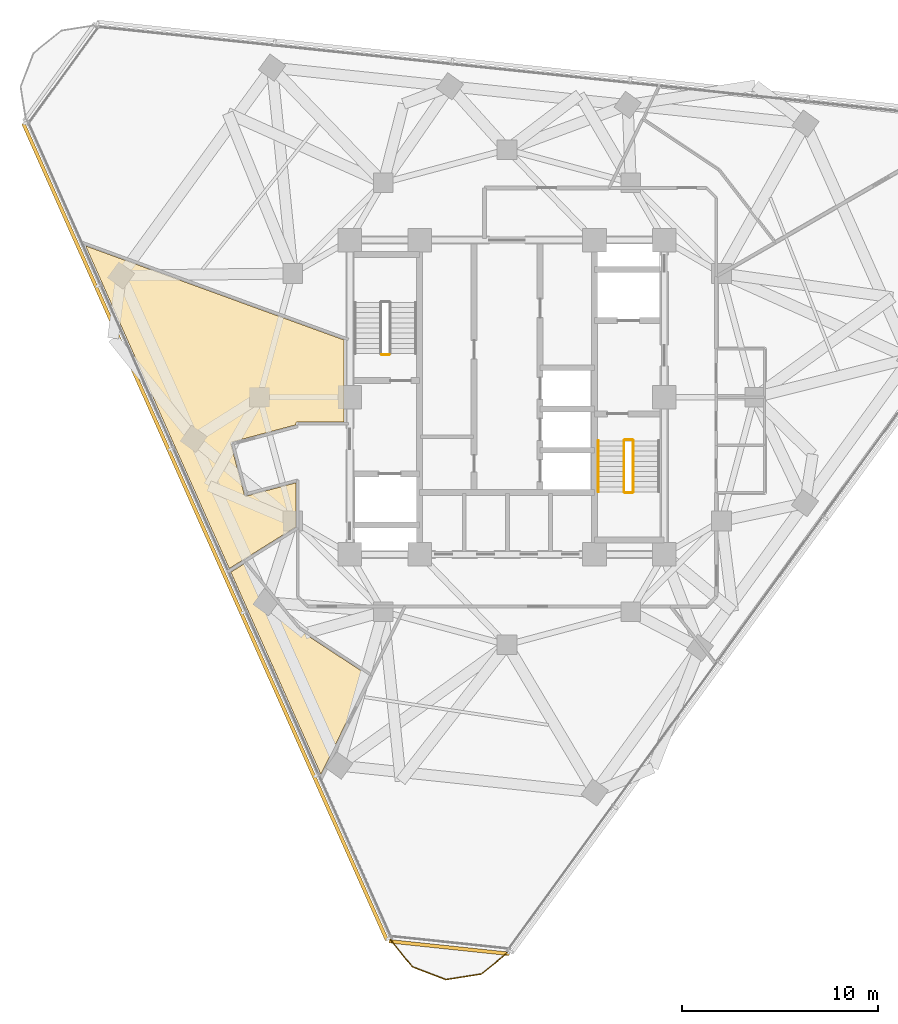
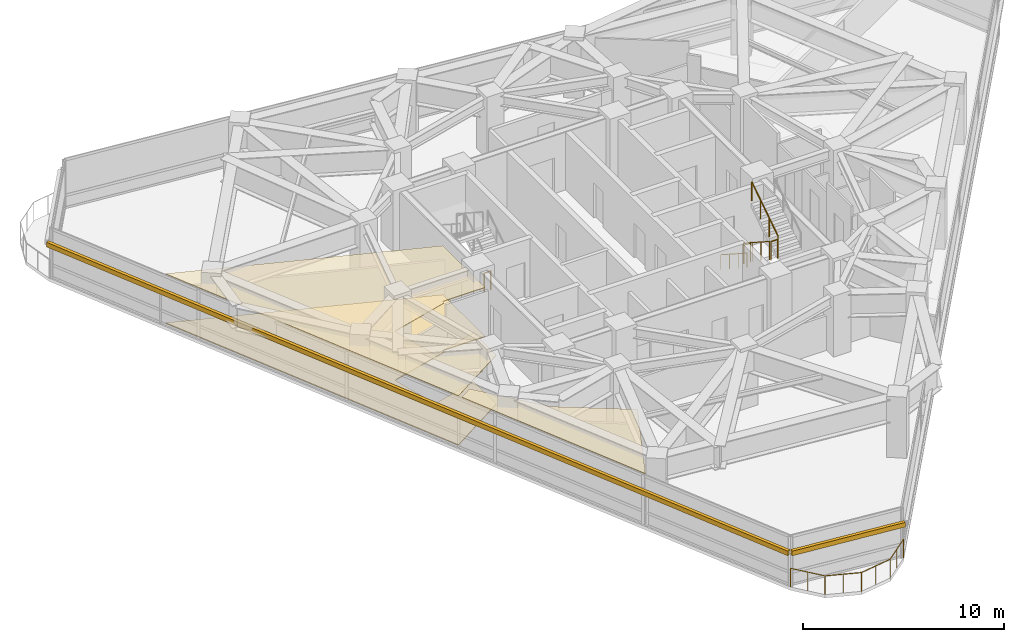
# One storey, part 12 of 14: 7 railings, 3 coverings, 2 shading devices.
"""IFC4 building model written with IfcOpenShell, lengths in metres."""

from ifc_helpers import new_model, si_unit, direction, frame, origin, origin_2d, place, context, subcontext, project, spatial, polyline, rectangle, circle, outline, extrude, material, layer, layer_set, type_object, element, save


model = new_model("IFC4")

# Units and contexts
model_context = context("Model", 3, precision=1e-05, world=origin(), true_north=direction((0.0, 1.0)))
body_context = subcontext(model_context, "Body", "Model", "MODEL_VIEW")
ifc_project = project(units=[si_unit("LENGTHUNIT", "METRE"), si_unit("AREAUNIT", "SQUARE_METRE"), si_unit("VOLUMEUNIT", "CUBIC_METRE"), si_unit("PLANEANGLEUNIT", "RADIAN"), si_unit("MASSUNIT", "GRAM", prefix="KILO")], contexts=[model_context])

# Site, building, storey
site_placement = place(None, origin())
site = spatial("IfcSite", under=ifc_project, at=site_placement, CompositionType="ELEMENT")
building_placement = place(site_placement, origin())
building = spatial("IfcBuilding", under=site, at=building_placement, Name="Terralouvre Media Tower", CompositionType="ELEMENT")
storey_placement = place(building_placement, frame((0.0, 0.0, 244.800048828125)))
storey = spatial("IfcBuildingStorey", under=building, at=storey_placement, Name="L63", CompositionType="ELEMENT", Elevation=244.800048828125)

# Coverings
ifc_material_1 = material(Name="Resilient elastomer acoustic broadcast studio flooring")
ifc_layer_1 = layer(ifc_material_1, 0.050048828125, Name="Broadcast Studio Acoustic Floating Floor FL-AC1")
ifc_layer_set_1 = layer_set([ifc_layer_1], Name="Resilient elastomer acoustic broadcast studio flooring")
covering_type_1 = type_object("IfcCoveringType", Name="Broadcast Studio Acoustic Floating Floor FL-AC1", PredefinedType="FLOORING", material=ifc_layer_set_1)
covering_1_placement = place(storey_placement, frame((0.0, 0.0, 0.0), z_axis=(0.0, 0.0, 1.0), x_axis=(0.587785252292, 0.809016994375, 0.0)))
element("IfcCovering", 1, at=covering_1_placement, inside=storey, type_object=covering_type_1, Name="L63 OB Coordination Crew Room 1 Acoustic Floating Floor", PredefinedType="FLOORING", context=body_context, shape_type="SweptSolid", body=[
    extrude(outline(polyline([(-11.657958984375, 4.81787109375), (-9.84228515625, 6.136962890625), (-11.8544921875, 7.766357421875), (-11.862060546875, 7.77294921875), (-11.86865234375, 7.7802734375), (-11.87451171875, 7.7880859375), (-11.879638671875, 7.79638671875), (-11.8837890625, 7.80517578125), (-11.88720703125, 7.814453125), (-11.8896484375, 7.823974609375), (-11.89111328125, 7.833740234375), (-11.8916015625, 7.843505859375), (-11.891357421875, 7.853271484375), (-11.889892578125, 7.863037109375), (-11.8876953125, 7.87255859375), (-11.88427734375, 7.8818359375), (-11.880126953125, 7.890625), (-11.875244140625, 7.899169921875), (-11.869384765625, 7.9072265625), (-10.200927734375, 9.966064453125), (-10.1943359375, 9.973388671875), (-10.187255859375, 9.97998046875), (-10.17919921875, 9.98583984375), (-10.1708984375, 9.990966796875), (-10.162109375, 9.9951171875), (-10.15283203125, 9.99853515625), (-10.143310546875, 10.0009765625), (-10.1337890625, 10.00244140625), (-10.123779296875, 10.003173828125), (-10.114013671875, 10.002685546875), (-10.104248046875, 10.001220703125), (-10.094970703125, 9.9990234375), (-10.08544921875, 9.99560546875), (-10.07666015625, 9.991455078125), (-10.068115234375, 9.986572265625), (-10.060302734375, 9.980712890625), (-7.45556640625, 7.870849609375), (-7.410888671875, 7.9033203125), (-7.402587890625, 7.90869140625), (-7.39404296875, 7.913330078125), (-7.384765625, 7.9169921875), (-7.37548828125, 7.919677734375), (-7.36572265625, 7.921630859375), (-7.35595703125, 7.92236328125), (-7.34619140625, 7.92236328125), (-7.33642578125, 7.92138671875), (-7.326904296875, 7.919189453125), (-7.317626953125, 7.916259765625), (-7.308349609375, 7.912353515625), (-7.2998046875, 7.90771484375), (-7.291748046875, 7.90234375), (-7.2841796875, 7.89599609375), (-7.27734375, 7.888916015625), (-7.271240234375, 7.88134765625), (-5.895751953125, 5.98828125), (-2.523681640625, 8.43798828125), (-6.37841796875, 21.881591796875), (-15.365478515625, 6.316162109375), (-14.558349609375, 5.98974609375), (-11.657958984375, 4.81787109375)])), origin(), (0.0, 0.0, 1.0), 0.050048828125),
])
ifc_material_2 = material(Name="Perforated aluminium acoustic ceiling baffle", Category="aluminium")
ifc_layer_2 = layer(ifc_material_2, 0.0400390625, Name="Perforated Acoustic Metal Tile Ceiling CL-AC1")
ifc_layer_set_2 = layer_set([ifc_layer_2], Name="Perforated aluminium acoustic ceiling baffle")
covering_type_2 = type_object("IfcCoveringType", Name="Perforated Acoustic Metal Tile Ceiling CL-AC1", PredefinedType="CEILING", material=ifc_layer_set_2)
covering_2_placement = place(storey_placement, frame((0.0, 0.0, 2.97998046875), z_axis=(0.0, 0.0, 1.0), x_axis=(0.587785252292, 0.809016994375, 0.0)))
element("IfcCovering", 2, at=covering_2_placement, inside=storey, type_object=covering_type_2, Name="L63 OB Coordination Crew Room 1 Acoustic Ceiling", PredefinedType="CEILING", context=body_context, shape_type="SweptSolid", body=[
    extrude(outline(polyline([(-11.657958984375, 4.81787109375), (-9.84228515625, 6.136962890625), (-11.8544921875, 7.766357421875), (-11.862060546875, 7.77294921875), (-11.86865234375, 7.7802734375), (-11.87451171875, 7.7880859375), (-11.879638671875, 7.79638671875), (-11.8837890625, 7.80517578125), (-11.88720703125, 7.814453125), (-11.8896484375, 7.823974609375), (-11.89111328125, 7.833740234375), (-11.8916015625, 7.843505859375), (-11.891357421875, 7.853271484375), (-11.889892578125, 7.863037109375), (-11.8876953125, 7.87255859375), (-11.88427734375, 7.8818359375), (-11.880126953125, 7.890625), (-11.875244140625, 7.899169921875), (-11.869384765625, 7.9072265625), (-10.200927734375, 9.966064453125), (-10.1943359375, 9.973388671875), (-10.187255859375, 9.97998046875), (-10.17919921875, 9.98583984375), (-10.1708984375, 9.990966796875), (-10.162109375, 9.9951171875), (-10.15283203125, 9.99853515625), (-10.143310546875, 10.0009765625), (-10.1337890625, 10.00244140625), (-10.123779296875, 10.003173828125), (-10.114013671875, 10.002685546875), (-10.104248046875, 10.001220703125), (-10.094970703125, 9.9990234375), (-10.08544921875, 9.99560546875), (-10.07666015625, 9.991455078125), (-10.068115234375, 9.986572265625), (-10.060302734375, 9.980712890625), (-7.45556640625, 7.870849609375), (-7.410888671875, 7.9033203125), (-7.402587890625, 7.90869140625), (-7.39404296875, 7.913330078125), (-7.384765625, 7.9169921875), (-7.37548828125, 7.919677734375), (-7.36572265625, 7.921630859375), (-7.35595703125, 7.92236328125), (-7.34619140625, 7.92236328125), (-7.33642578125, 7.92138671875), (-7.326904296875, 7.919189453125), (-7.317626953125, 7.916259765625), (-7.308349609375, 7.912353515625), (-7.2998046875, 7.90771484375), (-7.291748046875, 7.90234375), (-7.2841796875, 7.89599609375), (-7.27734375, 7.888916015625), (-7.271240234375, 7.88134765625), (-5.895751953125, 5.98828125), (-2.523681640625, 8.43798828125), (-6.37841796875, 21.881591796875), (-15.365478515625, 6.316162109375), (-14.558349609375, 5.98974609375), (-11.657958984375, 4.81787109375)])), origin(), (0.0, 0.0, 1.0), 0.0400390625),
])
covering_3_placement = place(storey_placement, frame((0.0, 0.0, 2.97998046875), z_axis=(0.0, 0.0, 1.0), x_axis=(0.587785252292, 0.809016994375, 0.0)))
element("IfcCovering", 3, at=covering_3_placement, inside=storey, type_object=covering_type_2, Name="L63 Sports Commentary Control Room 3 Acoustic Ceiling", PredefinedType="CEILING", context=body_context, shape_type="SweptSolid", body=[
    extrude(outline(polyline([(-15.8134765625, 1.646240234375), (-15.813232421875, 1.656494140625), (-15.812255859375, 1.666748046875), (-15.810302734375, 1.676513671875), (-14.71484375, 5.83740234375), (-15.46630859375, 6.141357421875), (-21.10107421875, -3.619140625), (-15.607177734375, -2.650390625), (-15.8134765625, 1.646240234375)])), origin(), (0.0, 0.0, 1.0), 0.0400390625),
])

# Railings
ifc_material_3 = material(Name="Stainless steel 316 handrail and balustrade", Category="steel")
ifc_layer_3 = layer(ifc_material_3, 0.06005859375, Name="Roof Edge Safety Guardrail GR-ROOF1")
ifc_layer_set_3 = layer_set([ifc_layer_3], Name="Stainless steel 316 handrail and balustrade")
railing_type_1 = type_object("IfcRailingType", Name="Roof Edge Safety Guardrail GR-ROOF1", PredefinedType="GUARDRAIL", material=ifc_layer_set_3)
railing_1_placement = place(storey_placement, frame((-5.98583984375, -27.5546875, 0.0)))
element("IfcRailing", 4, at=railing_1_placement, inside=storey, type_object=railing_type_1, Name="L63 Wind-Corner Perimeter Safety Guardrail C0", PredefinedType="GUARDRAIL", context=body_context, shape_type="SweptSolid", body=[
    extrude(circle(Radius=0.02099609375, at=origin_2d()), frame((0.0, 0.0, 1.12890625), z_axis=(0.629125588714, -0.777303668861, 0.0), x_axis=(0.777303668861, 0.629125588714, 0.0)), (0.0, 0.0, 1.0), 1.837158203125),
    extrude(circle(Radius=0.02099609375, at=origin_2d()), frame((1.15576171875, -1.427978515625, 1.12890625), z_axis=(0.933530480619, -0.358498035915, 0.0), x_axis=(0.358498035915, 0.933530480619, 0.0)), (0.0, 0.0, 1.0), 1.836669921875),
    extrude(circle(Radius=0.02099609375, at=origin_2d()), frame((2.870361328125, -2.08642578125, 1.12890625), z_axis=(0.987666866591, 0.156569986387, 0.0), x_axis=(-0.156569986387, 0.987666866591, 0.0)), (0.0, 0.0, 1.0), 1.8369140625),
    extrude(circle(Radius=0.02099609375, at=origin_2d()), frame((4.6845703125, -1.798828125, 1.12890625), z_axis=(0.777015769995, 0.629481130122, 0.0), x_axis=(-0.629481130122, 0.777015769995, 0.0)), (0.0, 0.0, 1.0), 1.8369140625),
    extrude(circle(Radius=0.01904296875, at=origin_2d()), origin(), (0.0, 0.0, 1.0), 1.10791015625),
    extrude(circle(Radius=0.01904296875, at=origin_2d()), frame((0.577880859375, -0.7138671875, 0.0)), (0.0, 0.0, 1.0), 1.10791015625),
    extrude(circle(Radius=0.01904296875, at=origin_2d()), frame((1.15576171875, -1.427978515625, 0.0)), (0.0, 0.0, 1.0), 1.10791015625),
    extrude(circle(Radius=0.01904296875, at=origin_2d()), frame((2.01318359375, -1.75732421875, 0.0)), (0.0, 0.0, 1.0), 1.10791015625),
    extrude(circle(Radius=0.01904296875, at=origin_2d()), frame((2.870361328125, -2.08642578125, 0.0)), (0.0, 0.0, 1.0), 1.10791015625),
    extrude(circle(Radius=0.01904296875, at=origin_2d()), frame((3.77734375, -1.942626953125, 0.0)), (0.0, 0.0, 1.0), 1.10791015625),
    extrude(circle(Radius=0.01904296875, at=origin_2d()), frame((4.6845703125, -1.798828125, 0.0)), (0.0, 0.0, 1.0), 1.10791015625),
    extrude(circle(Radius=0.01904296875, at=origin_2d()), frame((5.398193359375, -1.220703125, 0.0)), (0.0, 0.0, 1.0), 1.10791015625),
    extrude(circle(Radius=0.01904296875, at=origin_2d()), frame((6.11181640625, -0.642578125, 0.0)), (0.0, 0.0, 1.0), 1.10791015625),
])
ifc_material_4 = material(Name="Stainless steel 316 handrail and balustrade", Category="steel")
ifc_layer_4 = layer(ifc_material_4, 0.050048828125, Name="Stair Flight Wall Handrail HR-INT1")
ifc_layer_set_4 = layer_set([ifc_layer_4], Name="Stainless steel 316 handrail and balustrade")
railing_type_2 = type_object("IfcRailingType", Name="Stair Flight Wall Handrail HR-INT1", PredefinedType="HANDRAIL", material=ifc_layer_set_4)
railing_2_placement = place(storey_placement, frame((4.64990234375, -2.219970703125, 0.168212890625)))
element("IfcRailing", 5, at=railing_2_placement, inside=storey, type_object=railing_type_2, Name="L63 ST-02 stair handrail 1", PredefinedType="HANDRAIL", context=body_context, shape_type="SweptSolid", body=[
    extrude(circle(Radius=0.02392578125, at=origin_2d()), frame((0.0, 0.0, 0.8759765625), z_axis=(0.0, -0.839684365666, 0.543074733399), x_axis=(1.0, 0.0, 0.0)), (0.0, 0.0, 1.0), 3.096435546875),
    extrude(circle(Radius=0.02099609375, at=origin_2d()), origin(), (0.0, 0.0, 1.0), 0.851806640625),
    extrude(circle(Radius=0.02099609375, at=origin_2d()), frame((0.0, -0.86669921875, 0.560546875)), (0.0, 0.0, 1.0), 0.851806640625),
    extrude(circle(Radius=0.02099609375, at=origin_2d()), frame((0.0, -1.7333984375, 1.12109375)), (0.0, 0.0, 1.0), 0.851806640625),
    extrude(circle(Radius=0.02099609375, at=origin_2d()), frame((0.0, -2.60009765625, 1.681640625)), (0.0, 0.0, 1.0), 0.851806640625),
])
ifc_material_5 = material(Name="Stainless steel 316 handrail and balustrade", Category="steel")
ifc_layer_5 = layer(ifc_material_5, 0.050048828125, Name="Stairwell Safety Guardrail GR-INT1")
ifc_layer_set_5 = layer_set([ifc_layer_5], Name="Stainless steel 316 handrail and balustrade")
railing_type_3 = type_object("IfcRailingType", Name="Stairwell Safety Guardrail GR-INT1", PredefinedType="GUARDRAIL", material=ifc_layer_set_5)
railing_3_placement = place(storey_placement, frame((-6.0, 2.169921875, 0.0)))
element("IfcRailing", 6, at=railing_3_placement, inside=storey, type_object=railing_type_3, Name="L63 ST-01 stair guard 4", PredefinedType="GUARDRAIL", context=body_context, shape_type="SweptSolid", body=[
    extrude(circle(Radius=0.02392578125, at=origin_2d()), frame((0.0, 0.0, 1.1259765625), z_axis=(-1.0, 0.0, 0.0), x_axis=(0.0, -1.0, 0.0)), (0.0, 0.0, 1.0), 0.3798828125),
    extrude(circle(Radius=0.02099609375, at=origin_2d()), origin(), (0.0, 0.0, 1.0), 1.101806640625),
    extrude(circle(Radius=0.02099609375, at=origin_2d()), frame((-0.3798828125, 0.0, 0.0)), (0.0, 0.0, 1.0), 1.101806640625),
])
railing_4_placement = place(storey_placement, frame((5.949951171875, -2.219970703125, 0.168212890625)))
element("IfcRailing", 7, at=railing_4_placement, inside=storey, type_object=railing_type_3, Name="L63 ST-02 stair guard 1", PredefinedType="GUARDRAIL", context=body_context, shape_type="SweptSolid", body=[
    extrude(circle(Radius=0.02392578125, at=origin_2d()), frame((0.0, 0.0, 1.1259765625), z_axis=(0.0, -0.839684365666, 0.543074733399), x_axis=(1.0, 0.0, 0.0)), (0.0, 0.0, 1.0), 3.096435546875),
    extrude(circle(Radius=0.02099609375, at=origin_2d()), origin(), (0.0, 0.0, 1.0), 1.101806640625),
    extrude(circle(Radius=0.02099609375, at=origin_2d()), frame((0.0, -0.86669921875, 0.560546875)), (0.0, 0.0, 1.0), 1.101806640625),
    extrude(circle(Radius=0.02099609375, at=origin_2d()), frame((0.0, -1.7333984375, 1.12109375)), (0.0, 0.0, 1.0), 1.101806640625),
    extrude(circle(Radius=0.02099609375, at=origin_2d()), frame((0.0, -2.60009765625, 1.681640625)), (0.0, 0.0, 1.0), 1.101806640625),
])
railing_5_placement = place(storey_placement, frame((6.0, -4.8701171875, 1.849853515625)))
element("IfcRailing", 8, at=railing_5_placement, inside=storey, type_object=railing_type_3, Name="L63 ST-02 stair guard 2", PredefinedType="GUARDRAIL", context=body_context, shape_type="SweptSolid", body=[
    extrude(circle(Radius=0.02392578125, at=origin_2d()), frame((0.0, 0.0, 1.1259765625), z_axis=(1.0, 0.0, 0.0), x_axis=(0.0, 1.0, 0.0)), (0.0, 0.0, 1.0), 0.3798828125),
    extrude(circle(Radius=0.02099609375, at=origin_2d()), origin(), (0.0, 0.0, 1.0), 1.101806640625),
    extrude(circle(Radius=0.02099609375, at=origin_2d()), frame((0.3798828125, 0.0, 0.0)), (0.0, 0.0, 1.0), 1.101806640625),
])
railing_6_placement = place(storey_placement, frame((6.429931640625, -4.820068359375, 2.01806640625)))
element("IfcRailing", 9, at=railing_6_placement, inside=storey, type_object=railing_type_3, Name="L63 ST-02 stair guard 3", PredefinedType="GUARDRAIL", context=body_context, shape_type="SweptSolid", body=[
    extrude(circle(Radius=0.02392578125, at=origin_2d()), frame((0.0, 0.0, 1.1259765625), z_axis=(0.0, 0.839648411786, 0.543130320075), x_axis=(-1.0, 0.0, 0.0)), (0.0, 0.0, 1.0), 3.0966796875),
    extrude(circle(Radius=0.02099609375, at=origin_2d()), origin(), (0.0, 0.0, 1.0), 1.101806640625),
    extrude(circle(Radius=0.02099609375, at=origin_2d()), frame((0.0, 0.86669921875, 0.560546875)), (0.0, 0.0, 1.0), 1.101806640625),
    extrude(circle(Radius=0.02099609375, at=origin_2d()), frame((0.0, 1.7333984375, 1.121337890625)), (0.0, 0.0, 1.0), 1.101806640625),
    extrude(circle(Radius=0.02099609375, at=origin_2d()), frame((0.0, 2.60009765625, 1.681884765625)), (0.0, 0.0, 1.0), 1.101806640625),
])
railing_7_placement = place(storey_placement, frame((6.0, -2.169921875, 0.0)))
element("IfcRailing", 10, at=railing_7_placement, inside=storey, type_object=railing_type_3, Name="L63 ST-02 stair guard 4", PredefinedType="GUARDRAIL", context=body_context, shape_type="SweptSolid", body=[
    extrude(circle(Radius=0.02392578125, at=origin_2d()), frame((0.0, 0.0, 1.1259765625), z_axis=(1.0, 0.0, 0.0), x_axis=(0.0, 1.0, 0.0)), (0.0, 0.0, 1.0), 0.3798828125),
    extrude(circle(Radius=0.02099609375, at=origin_2d()), origin(), (0.0, 0.0, 1.0), 1.101806640625),
    extrude(circle(Radius=0.02099609375, at=origin_2d()), frame((0.3798828125, 0.0, 0.0)), (0.0, 0.0, 1.0), 1.101806640625),
])

# Shading devices
ifc_material_6 = material(Name="Extruded terracotta baguette sunshade louvres", Category="masonry")
shading_device_type = type_object("IfcShadingDeviceType", Name="Terracotta Baguette Sunshade Louvre Screen TB-LV1", PredefinedType="USERDEFINED", material=ifc_material_6)
shading_device_1_placement = place(storey_placement, frame((-15.3701171875, -6.84326171875, 2.02392578125), z_axis=(0.0, 0.0, 1.0), x_axis=(0.406736679636, -0.913545441365, 0.0)))
element("IfcShadingDevice", 11, at=shading_device_1_placement, inside=storey, type_object=shading_device_type, Name="CW-L63-F2 Terracotta Baguette Sunshade Louvre", ObjectType="BAGUETTE", PredefinedType="USERDEFINED", context=body_context, shape_type="SweptSolid", body=[
    extrude(rectangle(XDim=45.5, YDim=0.179931640625, at=origin_2d()), origin(), (0.0, 0.0, 1.0), 0.280029296875),
])
shading_device_2_placement = place(storey_placement, frame((-2.944091796875, -28.01025390625, 2.02392578125), z_axis=(0.0, 0.0, 1.0), x_axis=(0.994521944551, -0.104527995322, 0.0)))
element("IfcShadingDevice", 12, at=shading_device_2_placement, inside=storey, type_object=shading_device_type, Name="CW-L63-C0 Terracotta Baguette Sunshade Louvre", ObjectType="BAGUETTE", PredefinedType="USERDEFINED", context=body_context, shape_type="SweptSolid", body=[
    extrude(rectangle(XDim=6.148681640625, YDim=0.179931640625, at=origin_2d()), origin(), (0.0, 0.0, 1.0), 0.280029296875),
])

save(model, "model.ifc")
